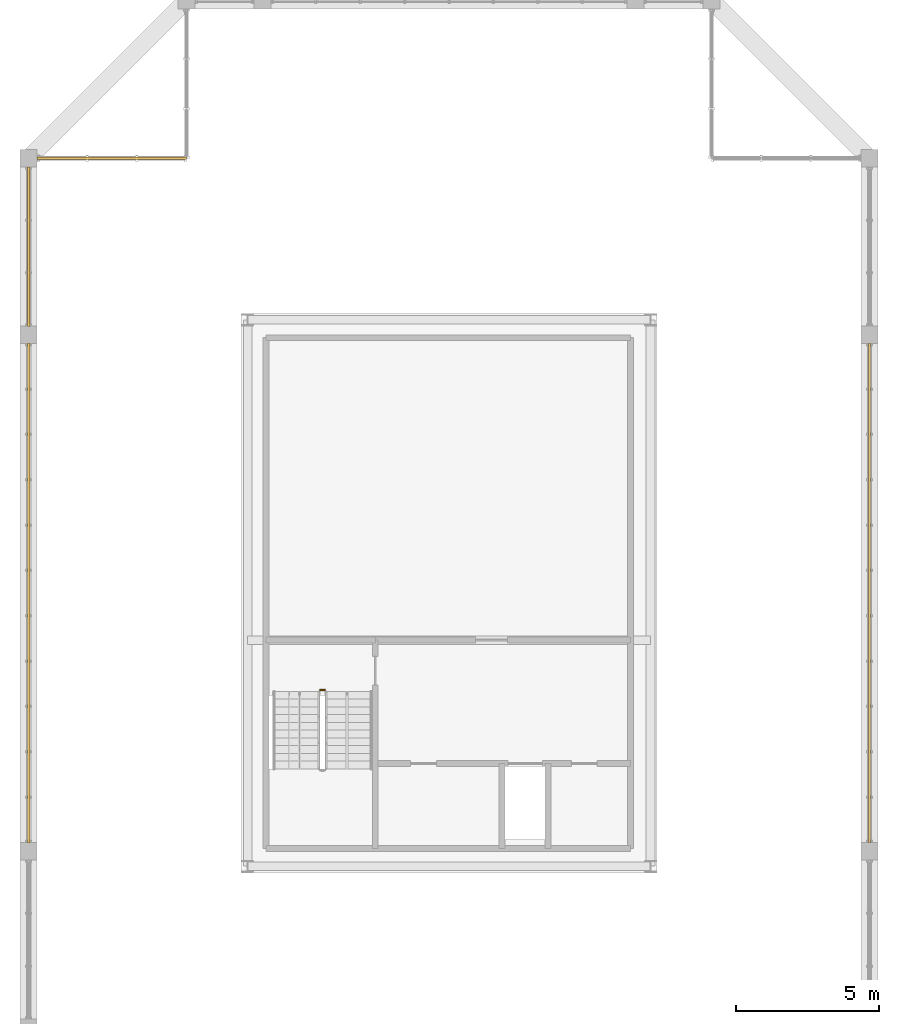
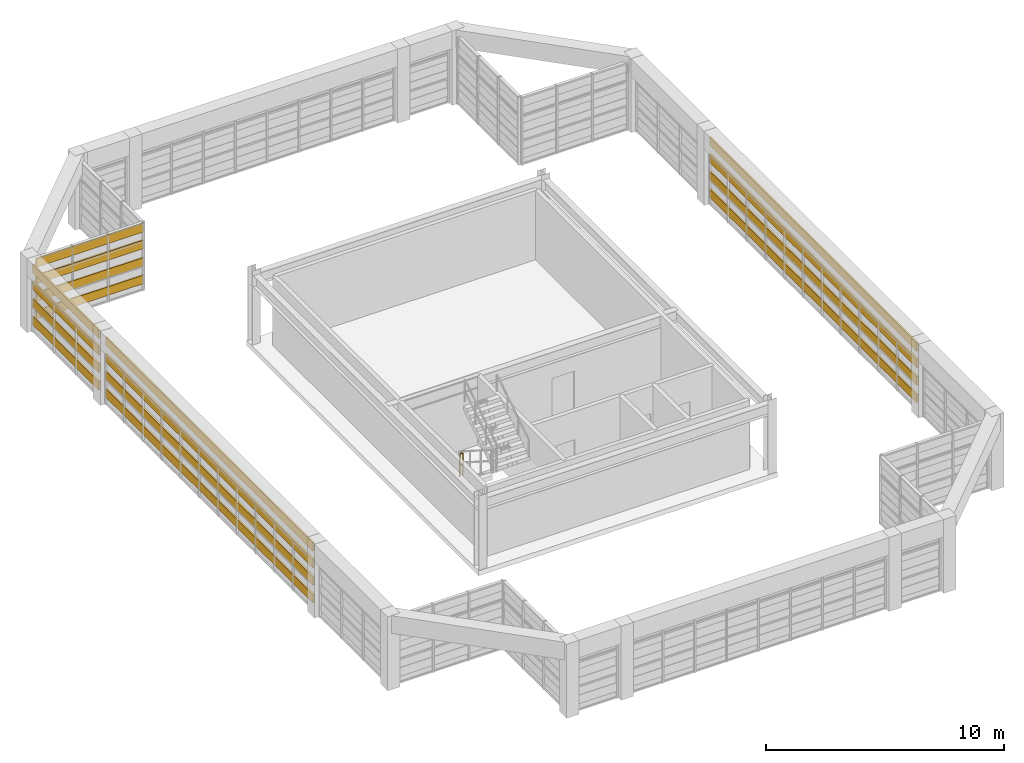
# One storey, part 26 of 27: 16 shading devices, 1 railing.
"""IFC4 building model written with IfcOpenShell, lengths in metres."""

from ifc_helpers import new_model, si_unit, direction, frame, origin, origin_2d, place, context, subcontext, project, spatial, rectangle, extrude, source, transform, mapped, material, material_profile, profile_set, type_object, element, save


model = new_model("IFC4")

# Units and contexts
model_context = context("Model", 3, precision=1e-05, world=origin(), true_north=direction((0.0, 1.0)))
body_context = subcontext(model_context, "Body", "Model", "MODEL_VIEW")
ifc_project = project(units=[si_unit("LENGTHUNIT", "METRE"), si_unit("AREAUNIT", "SQUARE_METRE"), si_unit("VOLUMEUNIT", "CUBIC_METRE"), si_unit("PLANEANGLEUNIT", "RADIAN"), si_unit("MASSUNIT", "GRAM", prefix="KILO")], contexts=[model_context])

# Site, building, storey
site_placement = place(None, origin())
site = spatial("IfcSite", under=ifc_project, at=site_placement, CompositionType="ELEMENT")
building_placement = place(site_placement, origin())
building = spatial("IfcBuilding", under=site, at=building_placement, Name="Saelheon Loggia Tower", CompositionType="ELEMENT")
storey_placement = place(building_placement, frame((0.0, 0.0, 263.60009765625)))
storey = spatial("IfcBuildingStorey", under=building, at=storey_placement, Name="CR4", CompositionType="ELEMENT", Elevation=263.60009765625)

# Railing
ifc_material_1 = material(Name="Galvanised Steel S275 Stairwell Guardrail", Category="steel")
railing_type = type_object("IfcRailingType", Name="Guard_StairWell_RL_STG", PredefinedType="GUARDRAIL", material=ifc_material_1)
railing_placement = place(storey_placement, frame((33.510009765625, 23.6201171875, 0.0)))
element("IfcRailing", 1, at=railing_placement, inside=storey, type_object=railing_type, Name="CR4 ST5 stair guard 4", PredefinedType="GUARDRAIL", context=body_context, shape_type="SweptSolid", body=[
    extrude(rectangle(XDim=0.048095703125, YDim=0.048095703125, at=origin_2d()), frame((0.033203125, 0.0, 1.17578125), z_axis=(1.0, 0.0, 0.0), x_axis=(0.0, 1.0, 0.0)), (0.0, 0.0, 1.0), 0.093505859375),
    extrude(rectangle(XDim=0.048095703125, YDim=0.048095703125, at=origin_2d()), frame((0.033203125, 0.0, 0.60009765625), z_axis=(1.0, 0.0, 0.0), x_axis=(0.0, 1.0, 0.0)), (0.0, 0.0, 1.0), 0.093505859375),
    extrude(rectangle(XDim=0.0419921875, YDim=0.0419921875, at=origin_2d()), origin(), (0.0, 0.0, 1.0), 1.14794921875),
    extrude(rectangle(XDim=0.0419921875, YDim=0.0419921875, at=origin_2d()), frame((0.159912109375, 0.0, 0.0)), (0.0, 0.0, 1.0), 1.14794921875),
])

# Shading devices
ifc_material_2 = material(Name="Bronze-Anodised Aluminium 6063-T6", Category="aluminium")
ifc_material_profile = material_profile(ifc_material_2, rectangle(XDim=0.080078125, YDim=0.43994140625, at=origin_2d()), Name="Louvre_CrownBlade_250")
ifc_profile_set = profile_set([ifc_material_profile], Name="Bronze-Anodised Aluminium 6063-T6")
shading_device_type = type_object("IfcShadingDeviceType", Name="Louvre_CrownBlade_250", PredefinedType="AWNING", material=ifc_profile_set)
shared_shape_1 = source(origin(), body_context, "Body", "SweptSolid", [
    extrude(rectangle(XDim=0.080078125, YDim=0.43994140625, at=origin_2d()), origin(), (0.0, 0.0, 1.0), 5.205078125),
])
for number, where, z_axis, x_axis, name in (
    (2, (28.85009765625, 42.14990234375, 0.5498046875), (-1.0, 0.0, 0.0), (0.0, -1.0, 0.0), "CR4 Crown Screen Horizontal Blade"),
    (3, (28.85009765625, 42.14990234375, 1.449951171875), (-1.0, 0.0, 0.0), (0.0, -1.0, 0.0), "CR4 Crown Screen Horizontal Blade"),
    (4, (28.85009765625, 42.14990234375, 2.349853515625), (-1.0, 0.0, 0.0), (0.0, -1.0, 0.0), "CR4 Crown Screen Horizontal Blade"),
    (5, (28.85009765625, 42.14990234375, 3.199951171875), (-1.0, 0.0, 0.0), (0.0, -1.0, 0.0), "CR4 Crown Screen Horizontal Blade"),
):
    element("IfcShadingDevice", number, at=place(storey_placement, frame(where, z_axis=z_axis, x_axis=x_axis)), inside=storey, type_object=shading_device_type, Name=name, PredefinedType="AWNING", context=body_context, shape_type="MappedRepresentation", body=[
        mapped(shared_shape_1, transform((0.0, 0.0, 0.0), scale=1.0)),
    ])
shared_shape_2 = source(origin(), body_context, "Body", "SweptSolid", [
    extrude(rectangle(XDim=0.080078125, YDim=0.43994140625, at=origin_2d()), origin(), (0.0, 0.0, 1.0), 5.56005859375),
])
for number, where, z_axis, x_axis, name in (
    (6, (23.35009765625, 41.85498046875, 0.5498046875), (0.0, -1.0, 0.0), (1.0, 0.0, 0.0), "CR4 Crown Screen Horizontal Blade"),
    (7, (23.35009765625, 41.85498046875, 1.449951171875), (0.0, -1.0, 0.0), (1.0, 0.0, 0.0), "CR4 Crown Screen Horizontal Blade"),
    (8, (23.35009765625, 41.85498046875, 2.349853515625), (0.0, -1.0, 0.0), (1.0, 0.0, 0.0), "CR4 Crown Screen Horizontal Blade"),
    (9, (23.35009765625, 41.85498046875, 3.199951171875), (0.0, -1.0, 0.0), (1.0, 0.0, 0.0), "CR4 Crown Screen Horizontal Blade"),
):
    element("IfcShadingDevice", number, at=place(storey_placement, frame(where, z_axis=z_axis, x_axis=x_axis)), inside=storey, type_object=shading_device_type, Name=name, PredefinedType="AWNING", context=body_context, shape_type="MappedRepresentation", body=[
        mapped(shared_shape_2, transform((0.0, 0.0, 0.0), scale=1.0)),
    ])
shared_shape_3 = source(origin(), body_context, "Body", "SweptSolid", [
    extrude(rectangle(XDim=0.080078125, YDim=0.43994140625, at=origin_2d()), origin(), (0.0, 0.0, 1.0), 17.41015625),
])
for number, where, z_axis, x_axis, name in (
    (10, (52.64990234375, 18.294921875, 0.5498046875), (0.0, 1.0, 0.0), (-1.0, 0.0, 0.0), "CR4 Crown Screen Horizontal Blade"),
    (11, (52.64990234375, 18.294921875, 1.449951171875), (0.0, 1.0, 0.0), (-1.0, 0.0, 0.0), "CR4 Crown Screen Horizontal Blade"),
    (12, (52.64990234375, 18.294921875, 2.349853515625), (0.0, 1.0, 0.0), (-1.0, 0.0, 0.0), "CR4 Crown Screen Horizontal Blade"),
    (13, (52.64990234375, 18.294921875, 3.199951171875), (0.0, 1.0, 0.0), (-1.0, 0.0, 0.0), "CR4 Crown Screen Horizontal Blade"),
    (14, (23.35009765625, 35.705078125, 0.5498046875), (0.0, -1.0, 0.0), (1.0, 0.0, 0.0), "CR4 Crown Screen Horizontal Blade"),
    (15, (23.35009765625, 35.705078125, 1.449951171875), (0.0, -1.0, 0.0), (1.0, 0.0, 0.0), "CR4 Crown Screen Horizontal Blade"),
    (16, (23.35009765625, 35.705078125, 2.349853515625), (0.0, -1.0, 0.0), (1.0, 0.0, 0.0), "CR4 Crown Screen Horizontal Blade"),
    (17, (23.35009765625, 35.705078125, 3.199951171875), (0.0, -1.0, 0.0), (1.0, 0.0, 0.0), "CR4 Crown Screen Horizontal Blade"),
):
    element("IfcShadingDevice", number, at=place(storey_placement, frame(where, z_axis=z_axis, x_axis=x_axis)), inside=storey, type_object=shading_device_type, Name=name, PredefinedType="AWNING", context=body_context, shape_type="MappedRepresentation", body=[
        mapped(shared_shape_3, transform((0.0, 0.0, 0.0), scale=1.0)),
    ])

save(model, "model.ifc")
